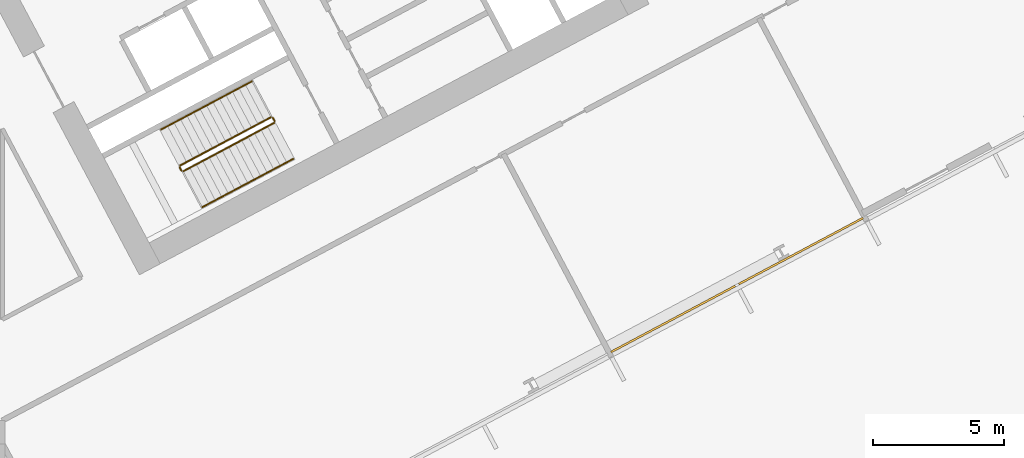
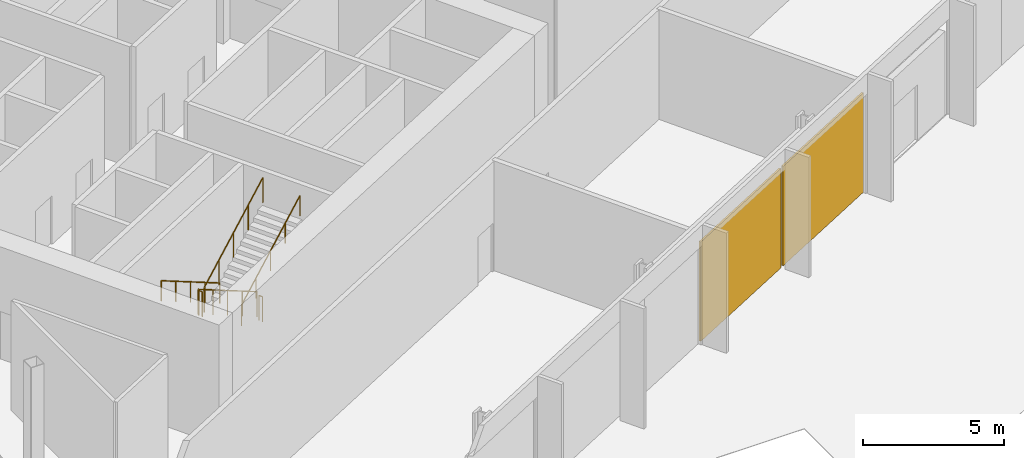
# One storey, part 26 of 30: 6 railings, 2 coverings, 1 element without a shape of its own.
"""IFC4 building model written with IfcOpenShell, lengths in metres."""

from ifc_helpers import new_model, si_unit, direction, frame, origin, origin_2d, place, context, subcontext, project, spatial, polyline, rectangle, outline, extrude, material, layer, layer_set, type_object, element, aggregate, save


model = new_model("IFC4")

# Units and contexts
model_context = context("Model", 3, precision=1e-05, world=origin(), true_north=direction((0.0, 1.0)))
body_context = subcontext(model_context, "Body", "Model", "MODEL_VIEW")
ifc_project = project(units=[si_unit("LENGTHUNIT", "METRE"), si_unit("AREAUNIT", "SQUARE_METRE"), si_unit("VOLUMEUNIT", "CUBIC_METRE"), si_unit("PLANEANGLEUNIT", "RADIAN"), si_unit("MASSUNIT", "GRAM", prefix="KILO")], contexts=[model_context])

# Site, building, storey
site_placement = place(None, origin())
site = spatial("IfcSite", under=ifc_project, at=site_placement, CompositionType="ELEMENT")
building_placement = place(site_placement, origin())
building = spatial("IfcBuilding", under=site, at=building_placement, Name="Cormorant Relay Tower", CompositionType="ELEMENT")
storey_placement = place(building_placement, frame((0.0, 0.0, 7.0)))
storey = spatial("IfcBuildingStorey", under=building, at=storey_placement, Name="L01", CompositionType="ELEMENT", Elevation=7.0)

# Curtain wall, coverings
ifc_material_1 = material(Name="Aluminium 6063-T6 anodised bronze", Category="aluminium")
ifc_layer_1 = layer(ifc_material_1, 0.235107421875)
ifc_layer_set_1 = layer_set([ifc_layer_1], Name="CW6 data hall curtain wall with mineral wool panels")
curtain_wall_type = type_object("IfcCurtainWallType", Name="CW6 data hall curtain wall with mineral wool panels", PredefinedType="NOTDEFINED", material=ifc_layer_set_1)
curtain_wall_placement = place(storey_placement, origin())
curtain_wall = element("IfcCurtainWall", 1, at=curtain_wall_placement, inside=storey, type_object=curtain_wall_type, Name="CW6 curtain wall 2", PredefinedType="NOTDEFINED")
ifc_material_2 = material(Name="Mineral wool cored anodised bronze aluminium cassette panel", Category="aluminium")
ifc_layer_2 = layer(ifc_material_2, 0.074951171875)
ifc_layer_set_2 = layer_set([ifc_layer_2], Name="CW6 mineral wool cassette panel 75")
covering_type = type_object("IfcCoveringType", Name="CW6 mineral wool cassette panel 75", PredefinedType="CLADDING", material=ifc_layer_set_2)
covering_1_placement = place(storey_placement, frame((39.16650390625, -3.001220703125, 0.0), z_axis=(0.0, 0.0, 1.0), x_axis=(0.882947592859, 0.469471562786, 0.0)))
covering_1 = element("IfcCovering", 2, at=covering_1_placement, type_object=covering_type, Name="CW6 panel S07", PredefinedType="CLADDING", context=body_context, shape_type="SweptSolid", body=[
    extrude(rectangle(XDim=5.36181640625, YDim=0.074951171875, at=origin_2d()), origin(), (0.0, 0.0, 1.0), 4.300048828125),
])
covering_2_placement = place(storey_placement, frame((44.033203125, -0.41357421875, 0.0), z_axis=(0.0, 0.0, 1.0), x_axis=(0.882947592859, 0.469471562786, 0.0)))
covering_2 = element("IfcCovering", 3, at=covering_2_placement, type_object=covering_type, Name="CW6 panel S08", PredefinedType="CLADDING", context=body_context, shape_type="SweptSolid", body=[
    extrude(rectangle(XDim=5.36181640625, YDim=0.074951171875, at=origin_2d()), origin(), (0.0, 0.0, 1.0), 4.300048828125),
])
aggregate(curtain_wall, [covering_1, covering_2])

# Railings
ifc_material_3 = material(Name="Steel ASTM A572 Grade 50 (Fy 345 MPa)", Category="steel")
railing_type_1 = type_object("IfcRailingType", Name="Stair guard 1100", PredefinedType="GUARDRAIL", material=ifc_material_3)
railing_1_placement = place(storey_placement, frame((23.83837890625, 4.6904296875, 0.17333984375)))
element("IfcRailing", 4, at=railing_1_placement, inside=storey, type_object=railing_type_1, Name="L01 B1 stair guard 1", PredefinedType="GUARDRAIL", context=body_context, shape_type="SweptSolid", body=[
    extrude(outline(polyline([(0.022216796875, 0.00927734375), (0.00927734375, 0.022216796875), (-0.00927734375, 0.022216796875), (-0.022216796875, 0.00927734375), (-0.022216796875, -0.00927734375), (-0.00927734375, -0.022216796875), (0.00927734375, -0.022216796875), (0.022216796875, -0.00927734375), (0.022216796875, 0.00927734375)])), frame((0.0, 0.0, 1.076171875), z_axis=(-0.750734087475, -0.399170032545, 0.526366426571), x_axis=(0.469469396681, -0.882948744594, 0.0)), (0.0, 0.0, 1.0), 4.6103515625),
    extrude(outline(polyline([(0.019287109375, 0.008056640625), (0.008056640625, 0.019287109375), (-0.008056640625, 0.019287109375), (-0.019287109375, 0.008056640625), (-0.019287109375, -0.008056640625), (-0.008056640625, -0.019287109375), (0.008056640625, -0.019287109375), (0.019287109375, -0.008056640625), (0.019287109375, 0.008056640625)])), origin(), (0.0, 0.0, 1.0), 1.052001953125),
    extrude(outline(polyline([(0.019287109375, 0.008056640625), (0.008056640625, 0.019287109375), (-0.008056640625, 0.019287109375), (-0.019287109375, 0.008056640625), (-0.019287109375, -0.008056640625), (-0.008056640625, -0.019287109375), (0.008056640625, -0.019287109375), (0.019287109375, -0.008056640625), (0.019287109375, 0.008056640625)])), frame((-0.865234375, -0.4599609375, 0.606689453125)), (0.0, 0.0, 1.0), 1.052001953125),
    extrude(outline(polyline([(0.019287109375, 0.008056640625), (0.008056640625, 0.019287109375), (-0.008056640625, 0.019287109375), (-0.019287109375, 0.008056640625), (-0.019287109375, -0.008056640625), (-0.008056640625, -0.019287109375), (0.008056640625, -0.019287109375), (0.019287109375, -0.008056640625), (0.019287109375, 0.008056640625)])), frame((-1.73046875, -0.920166015625, 1.21337890625)), (0.0, 0.0, 1.0), 1.052001953125),
    extrude(outline(polyline([(0.019287109375, 0.008056640625), (0.008056640625, 0.019287109375), (-0.008056640625, 0.019287109375), (-0.019287109375, 0.008056640625), (-0.019287109375, -0.008056640625), (-0.008056640625, -0.019287109375), (0.008056640625, -0.019287109375), (0.019287109375, -0.008056640625), (0.019287109375, 0.008056640625)])), frame((-2.595947265625, -1.38037109375, 1.820068359375)), (0.0, 0.0, 1.0), 1.052001953125),
    extrude(outline(polyline([(0.019287109375, 0.008056640625), (0.008056640625, 0.019287109375), (-0.008056640625, 0.019287109375), (-0.019287109375, 0.008056640625), (-0.019287109375, -0.008056640625), (-0.008056640625, -0.019287109375), (0.008056640625, -0.019287109375), (0.019287109375, -0.008056640625), (0.019287109375, 0.008056640625)])), frame((-3.461181640625, -1.84033203125, 2.4267578125)), (0.0, 0.0, 1.0), 1.052001953125),
])
railing_2_placement = place(storey_placement, frame((20.3564453125, 2.782470703125, 2.60009765625)))
element("IfcRailing", 5, at=railing_2_placement, inside=storey, type_object=railing_type_1, Name="L01 B1 stair guard 2", PredefinedType="GUARDRAIL", context=body_context, shape_type="SweptSolid", body=[
    extrude(outline(polyline([(0.022216796875, 0.00927734375), (0.00927734375, 0.022216796875), (-0.00927734375, 0.022216796875), (-0.022216796875, 0.00927734375), (-0.022216796875, -0.00927734375), (-0.00927734375, -0.022216796875), (0.00927734375, -0.022216796875), (0.022216796875, -0.00927734375), (0.022216796875, 0.00927734375)])), frame((0.0, 0.0, 1.076171875), z_axis=(0.470503732759, -0.882398003998, 0.0), x_axis=(0.882398003998, 0.470503732759, 0.0)), (0.0, 0.0, 1.0), 0.14990234375),
    extrude(outline(polyline([(0.019287109375, 0.008056640625), (0.008056640625, 0.019287109375), (-0.008056640625, 0.019287109375), (-0.019287109375, 0.008056640625), (-0.019287109375, -0.008056640625), (-0.008056640625, -0.019287109375), (0.008056640625, -0.019287109375), (0.019287109375, -0.008056640625), (0.019287109375, 0.008056640625)])), origin(), (0.0, 0.0, 1.0), 1.052001953125),
    extrude(outline(polyline([(0.019287109375, 0.008056640625), (0.008056640625, 0.019287109375), (-0.008056640625, 0.019287109375), (-0.019287109375, 0.008056640625), (-0.019287109375, -0.008056640625), (-0.008056640625, -0.019287109375), (0.008056640625, -0.019287109375), (0.019287109375, -0.008056640625), (0.019287109375, 0.008056640625)])), frame((0.070556640625, -0.13232421875, 0.0)), (0.0, 0.0, 1.0), 1.052001953125),
])
railing_3_placement = place(storey_placement, frame((20.49462890625, 2.62939453125, 2.7734375)))
element("IfcRailing", 6, at=railing_3_placement, inside=storey, type_object=railing_type_1, Name="L01 B1 stair guard 3", PredefinedType="GUARDRAIL", context=body_context, shape_type="SweptSolid", body=[
    extrude(outline(polyline([(0.022216796875, 0.00927734375), (0.00927734375, 0.022216796875), (-0.00927734375, 0.022216796875), (-0.022216796875, 0.00927734375), (-0.022216796875, -0.00927734375), (-0.00927734375, -0.022216796875), (0.00927734375, -0.022216796875), (0.022216796875, -0.00927734375), (0.022216796875, 0.00927734375)])), frame((0.0, 0.0, 1.076171875), z_axis=(0.750731903254, 0.399197029255, 0.526349067892), x_axis=(-0.469495214196, 0.882935016775, 0.0)), (0.0, 0.0, 1.0), 4.610107421875),
    extrude(outline(polyline([(0.019287109375, 0.008056640625), (0.008056640625, 0.019287109375), (-0.008056640625, 0.019287109375), (-0.019287109375, 0.008056640625), (-0.019287109375, -0.008056640625), (-0.008056640625, -0.019287109375), (0.008056640625, -0.019287109375), (0.019287109375, -0.008056640625), (0.019287109375, 0.008056640625)])), origin(), (0.0, 0.0, 1.0), 1.052001953125),
    extrude(outline(polyline([(0.019287109375, 0.008056640625), (0.008056640625, 0.019287109375), (-0.008056640625, 0.019287109375), (-0.019287109375, 0.008056640625), (-0.019287109375, -0.008056640625), (-0.008056640625, -0.019287109375), (0.008056640625, -0.019287109375), (0.019287109375, -0.008056640625), (0.019287109375, 0.008056640625)])), frame((0.865234375, 0.4599609375, 0.606689453125)), (0.0, 0.0, 1.0), 1.052001953125),
    extrude(outline(polyline([(0.019287109375, 0.008056640625), (0.008056640625, 0.019287109375), (-0.008056640625, 0.019287109375), (-0.019287109375, 0.008056640625), (-0.019287109375, -0.008056640625), (-0.008056640625, -0.019287109375), (0.008056640625, -0.019287109375), (0.019287109375, -0.008056640625), (0.019287109375, 0.008056640625)])), frame((1.73046875, 0.920166015625, 1.21337890625)), (0.0, 0.0, 1.0), 1.052001953125),
    extrude(outline(polyline([(0.019287109375, 0.008056640625), (0.008056640625, 0.019287109375), (-0.008056640625, 0.019287109375), (-0.019287109375, 0.008056640625), (-0.019287109375, -0.008056640625), (-0.008056640625, -0.019287109375), (0.008056640625, -0.019287109375), (0.019287109375, -0.008056640625), (0.019287109375, 0.008056640625)])), frame((2.595703125, 1.38037109375, 1.81982421875)), (0.0, 0.0, 1.0), 1.052001953125),
    extrude(outline(polyline([(0.019287109375, 0.008056640625), (0.008056640625, 0.019287109375), (-0.008056640625, 0.019287109375), (-0.019287109375, 0.008056640625), (-0.019287109375, -0.008056640625), (-0.008056640625, -0.019287109375), (0.008056640625, -0.019287109375), (0.019287109375, -0.008056640625), (0.019287109375, 0.008056640625)])), frame((3.4609375, 1.84033203125, 2.426513671875)), (0.0, 0.0, 1.0), 1.052001953125),
])
railing_4_placement = place(storey_placement, frame((23.906005859375, 4.669677734375, 0.0)))
element("IfcRailing", 7, at=railing_4_placement, inside=storey, type_object=railing_type_1, Name="L01 B1 stair guard 4", PredefinedType="GUARDRAIL", context=body_context, shape_type="SweptSolid", body=[
    extrude(outline(polyline([(0.022216796875, 0.00927734375), (0.00927734375, 0.022216796875), (-0.00927734375, 0.022216796875), (-0.022216796875, 0.00927734375), (-0.022216796875, -0.00927734375), (-0.00927734375, -0.022216796875), (0.00927734375, -0.022216796875), (0.022216796875, -0.00927734375), (0.022216796875, 0.00927734375)])), frame((0.0, 0.0, 1.076171875), z_axis=(0.469234640946, -0.883073525669, 0.0), x_axis=(0.883073525669, 0.469234640946, 0.0)), (0.0, 0.0, 1.0), 0.14990234375),
    extrude(outline(polyline([(0.019287109375, 0.008056640625), (0.008056640625, 0.019287109375), (-0.008056640625, 0.019287109375), (-0.019287109375, 0.008056640625), (-0.019287109375, -0.008056640625), (-0.008056640625, -0.019287109375), (0.008056640625, -0.019287109375), (0.019287109375, -0.008056640625), (0.019287109375, 0.008056640625)])), origin(), (0.0, 0.0, 1.0), 1.052001953125),
    extrude(outline(polyline([(0.019287109375, 0.008056640625), (0.008056640625, 0.019287109375), (-0.008056640625, 0.019287109375), (-0.019287109375, 0.008056640625), (-0.019287109375, -0.008056640625), (-0.008056640625, -0.019287109375), (0.008056640625, -0.019287109375), (0.019287109375, -0.008056640625), (0.019287109375, 0.008056640625)])), frame((0.0703125, -0.13232421875, 0.0)), (0.0, 0.0, 1.0), 1.052001953125),
])
ifc_material_4 = material(Name="Steel ASTM A572 Grade 50 (Fy 345 MPa)", Category="steel")
railing_type_2 = type_object("IfcRailingType", Name="Stair handrail 900", PredefinedType="HANDRAIL", material=ifc_material_4)
railing_5_placement = place(storey_placement, frame((23.110595703125, 6.05908203125, 0.17333984375)))
element("IfcRailing", 8, at=railing_5_placement, inside=storey, type_object=railing_type_2, Name="L01 B1 stair handrail 1", PredefinedType="HANDRAIL", context=body_context, shape_type="SweptSolid", body=[
    extrude(outline(polyline([(0.022216796875, 0.00927734375), (0.00927734375, 0.022216796875), (-0.00927734375, 0.022216796875), (-0.022216796875, 0.00927734375), (-0.022216796875, -0.00927734375), (-0.00927734375, -0.022216796875), (0.00927734375, -0.022216796875), (0.022216796875, -0.00927734375), (0.022216796875, 0.00927734375)])), frame((0.0, 0.0, 0.8759765625), z_axis=(-0.750734087475, -0.399170032545, 0.526366426571), x_axis=(0.469469396681, -0.882948744594, 0.0)), (0.0, 0.0, 1.0), 4.6103515625),
    extrude(outline(polyline([(0.019287109375, 0.008056640625), (0.008056640625, 0.019287109375), (-0.008056640625, 0.019287109375), (-0.019287109375, 0.008056640625), (-0.019287109375, -0.008056640625), (-0.008056640625, -0.019287109375), (0.008056640625, -0.019287109375), (0.019287109375, -0.008056640625), (0.019287109375, 0.008056640625)])), origin(), (0.0, 0.0, 1.0), 0.851806640625),
    extrude(outline(polyline([(0.019287109375, 0.008056640625), (0.008056640625, 0.019287109375), (-0.008056640625, 0.019287109375), (-0.019287109375, 0.008056640625), (-0.019287109375, -0.008056640625), (-0.008056640625, -0.019287109375), (0.008056640625, -0.019287109375), (0.019287109375, -0.008056640625), (0.019287109375, 0.008056640625)])), frame((-0.865234375, -0.4599609375, 0.606689453125)), (0.0, 0.0, 1.0), 0.851806640625),
    extrude(outline(polyline([(0.019287109375, 0.008056640625), (0.008056640625, 0.019287109375), (-0.008056640625, 0.019287109375), (-0.019287109375, 0.008056640625), (-0.019287109375, -0.008056640625), (-0.008056640625, -0.019287109375), (0.008056640625, -0.019287109375), (0.019287109375, -0.008056640625), (0.019287109375, 0.008056640625)])), frame((-1.73046875, -0.920166015625, 1.21337890625)), (0.0, 0.0, 1.0), 0.851806640625),
    extrude(outline(polyline([(0.019287109375, 0.008056640625), (0.008056640625, 0.019287109375), (-0.008056640625, 0.019287109375), (-0.019287109375, 0.008056640625), (-0.019287109375, -0.008056640625), (-0.008056640625, -0.019287109375), (0.008056640625, -0.019287109375), (0.019287109375, -0.008056640625), (0.019287109375, 0.008056640625)])), frame((-2.595947265625, -1.38037109375, 1.820068359375)), (0.0, 0.0, 1.0), 0.851806640625),
    extrude(outline(polyline([(0.019287109375, 0.008056640625), (0.008056640625, 0.019287109375), (-0.008056640625, 0.019287109375), (-0.019287109375, 0.008056640625), (-0.019287109375, -0.008056640625), (-0.008056640625, -0.019287109375), (0.008056640625, -0.019287109375), (0.019287109375, -0.008056640625), (0.019287109375, 0.008056640625)])), frame((-3.461181640625, -1.84033203125, 2.4267578125)), (0.0, 0.0, 1.0), 0.851806640625),
])
railing_6_placement = place(storey_placement, frame((21.22216796875, 1.2607421875, 2.7734375)))
element("IfcRailing", 9, at=railing_6_placement, inside=storey, type_object=railing_type_2, Name="L01 B1 stair handrail 2", PredefinedType="HANDRAIL", context=body_context, shape_type="SweptSolid", body=[
    extrude(outline(polyline([(0.022216796875, 0.00927734375), (0.00927734375, 0.022216796875), (-0.00927734375, 0.022216796875), (-0.022216796875, 0.00927734375), (-0.022216796875, -0.00927734375), (-0.00927734375, -0.022216796875), (0.00927734375, -0.022216796875), (0.022216796875, -0.00927734375), (0.022216796875, 0.00927734375)])), frame((0.0, 0.0, 0.8759765625), z_axis=(0.75075501281, 0.399181158677, 0.526328142225), x_axis=(-0.469469396681, 0.882948744594, 0.0)), (0.0, 0.0, 1.0), 4.6103515625),
    extrude(outline(polyline([(0.019287109375, 0.008056640625), (0.008056640625, 0.019287109375), (-0.008056640625, 0.019287109375), (-0.019287109375, 0.008056640625), (-0.019287109375, -0.008056640625), (-0.008056640625, -0.019287109375), (0.008056640625, -0.019287109375), (0.019287109375, -0.008056640625), (0.019287109375, 0.008056640625)])), origin(), (0.0, 0.0, 1.0), 0.851806640625),
    extrude(outline(polyline([(0.019287109375, 0.008056640625), (0.008056640625, 0.019287109375), (-0.008056640625, 0.019287109375), (-0.019287109375, 0.008056640625), (-0.019287109375, -0.008056640625), (-0.008056640625, -0.019287109375), (0.008056640625, -0.019287109375), (0.019287109375, -0.008056640625), (0.019287109375, 0.008056640625)])), frame((0.865234375, 0.4599609375, 0.606689453125)), (0.0, 0.0, 1.0), 0.851806640625),
    extrude(outline(polyline([(0.019287109375, 0.008056640625), (0.008056640625, 0.019287109375), (-0.008056640625, 0.019287109375), (-0.019287109375, 0.008056640625), (-0.019287109375, -0.008056640625), (-0.008056640625, -0.019287109375), (0.008056640625, -0.019287109375), (0.019287109375, -0.008056640625), (0.019287109375, 0.008056640625)])), frame((1.73046875, 0.920166015625, 1.21337890625)), (0.0, 0.0, 1.0), 0.851806640625),
    extrude(outline(polyline([(0.019287109375, 0.008056640625), (0.008056640625, 0.019287109375), (-0.008056640625, 0.019287109375), (-0.019287109375, 0.008056640625), (-0.019287109375, -0.008056640625), (-0.008056640625, -0.019287109375), (0.008056640625, -0.019287109375), (0.019287109375, -0.008056640625), (0.019287109375, 0.008056640625)])), frame((2.595947265625, 1.38037109375, 1.81982421875)), (0.0, 0.0, 1.0), 0.851806640625),
    extrude(outline(polyline([(0.019287109375, 0.008056640625), (0.008056640625, 0.019287109375), (-0.008056640625, 0.019287109375), (-0.019287109375, 0.008056640625), (-0.019287109375, -0.008056640625), (-0.008056640625, -0.019287109375), (0.008056640625, -0.019287109375), (0.019287109375, -0.008056640625), (0.019287109375, 0.008056640625)])), frame((3.461181640625, 1.84033203125, 2.426513671875)), (0.0, 0.0, 1.0), 0.851806640625),
])

save(model, "model.ifc")
